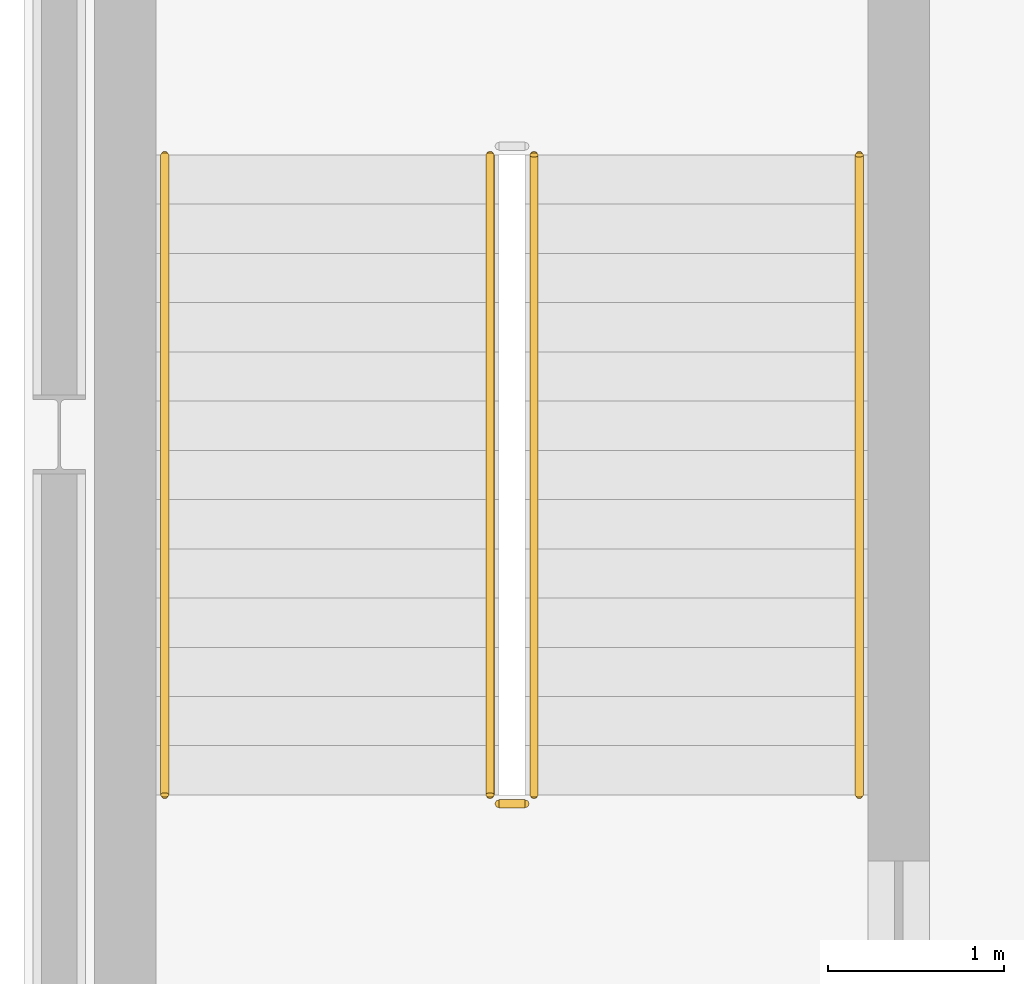
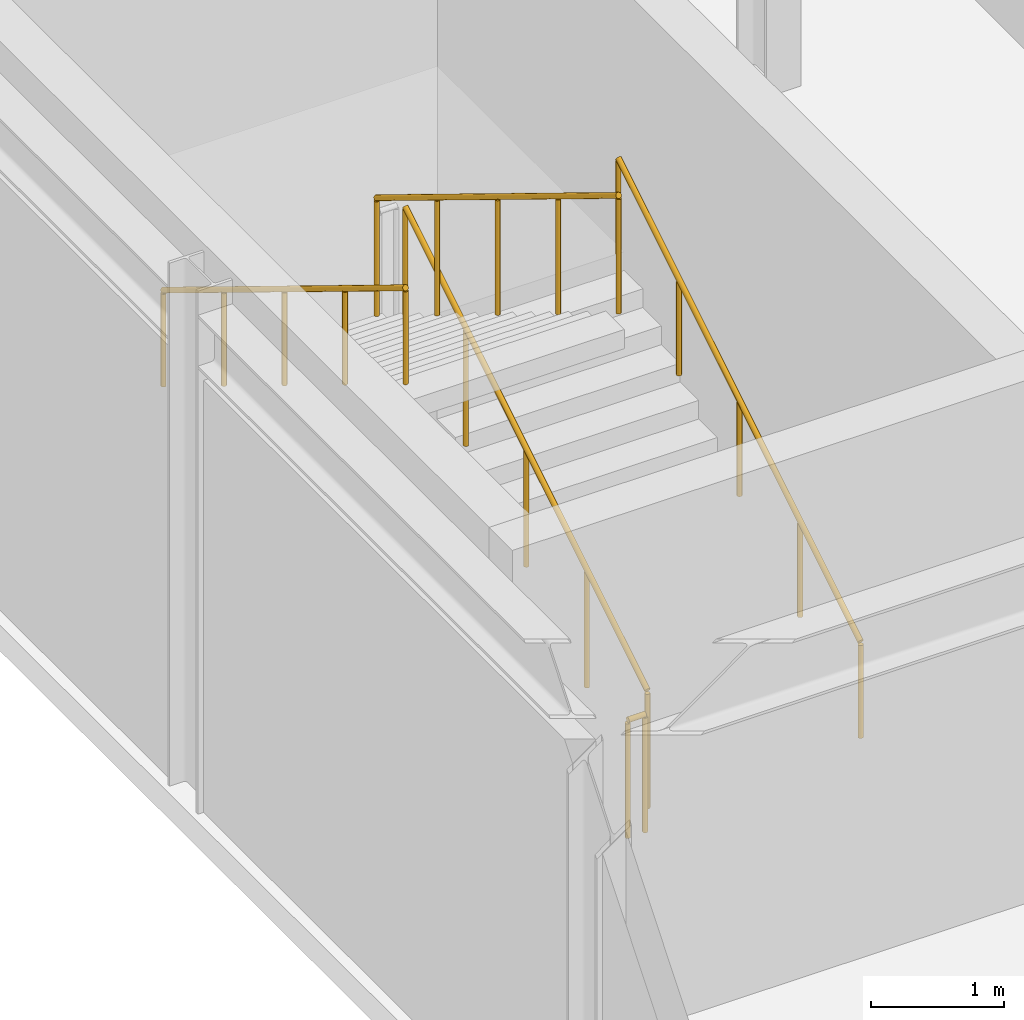
# One storey, part 109 of 112: 5 railings.
"""IFC4 building model written with IfcOpenShell, lengths in metres."""

from ifc_helpers import new_model, si_unit, direction, frame, origin, origin_2d, place, context, subcontext, project, spatial, circle, extrude, material, type_object, element, save


model = new_model("IFC4")

# Units and contexts
model_context = context("Model", 3, precision=1e-05, world=origin(), true_north=direction((0.0, 1.0)))
body_context = subcontext(model_context, "Body", "Model", "MODEL_VIEW")
ifc_project = project(units=[si_unit("LENGTHUNIT", "METRE"), si_unit("AREAUNIT", "SQUARE_METRE"), si_unit("VOLUMEUNIT", "CUBIC_METRE"), si_unit("PLANEANGLEUNIT", "RADIAN"), si_unit("MASSUNIT", "GRAM", prefix="KILO")], contexts=[model_context])

# Site, building, storey
site_placement = place(None, origin())
site = spatial("IfcSite", under=ifc_project, at=site_placement, CompositionType="ELEMENT")
building_placement = place(site_placement, origin())
building = spatial("IfcBuilding", under=site, at=building_placement, Name="Kaldris Quays Convention Centre", CompositionType="ELEMENT")
storey_placement = place(building_placement, frame((0.0, 0.0, 16.800048828125)))
storey = spatial("IfcBuildingStorey", under=building, at=storey_placement, Name="L03", CompositionType="ELEMENT", Elevation=16.800048828125)

# Railings
ifc_material_1 = material(Name="Steel S355J2", Category="steel")
railing_type_1 = type_object("IfcRailingType", Name="INTERIOR GUARDRAIL GR01", PredefinedType="GUARDRAIL", material=ifc_material_1)
railing_1_placement = place(storey_placement, frame((149.300048828125, 77.949951171875, 0.17138671875)))
element("IfcRailing", 1, at=railing_1_placement, inside=storey, type_object=railing_type_1, Name="L03 ST14 Stair Guardrail 1", PredefinedType="GUARDRAIL", context=body_context, shape_type="SweptSolid", body=[
    extrude(circle(Radius=0.02392578125, at=origin_2d()), frame((0.0, 0.0, 1.076171875), z_axis=(0.0, 0.852865859571, 0.52213008492), x_axis=(-1.0, 0.0, 0.0)), (0.0, 0.0, 1.0), 4.26806640625),
    extrude(circle(Radius=0.02099609375, at=origin_2d()), origin(), (0.0, 0.0, 1.0), 1.052001953125),
    extrude(circle(Radius=0.02099609375, at=origin_2d()), frame((0.0, 0.91015625, 0.55712890625)), (0.0, 0.0, 1.0), 1.052001953125),
    extrude(circle(Radius=0.02099609375, at=origin_2d()), frame((0.0, 1.820068359375, 1.1142578125)), (0.0, 0.0, 1.0), 1.052001953125),
    extrude(circle(Radius=0.02099609375, at=origin_2d()), frame((0.0, 2.72998046875, 1.67138671875)), (0.0, 0.0, 1.0), 1.052001953125),
    extrude(circle(Radius=0.02099609375, at=origin_2d()), frame((0.0, 3.64013671875, 2.228515625)), (0.0, 0.0, 1.0), 1.052001953125),
])
railing_2_placement = place(storey_placement, frame((149.050048828125, 81.590087890625, 2.5712890625)))
element("IfcRailing", 2, at=railing_2_placement, inside=storey, type_object=railing_type_1, Name="L03 ST14 Stair Guardrail 3", PredefinedType="GUARDRAIL", context=body_context, shape_type="SweptSolid", body=[
    extrude(circle(Radius=0.02392578125, at=origin_2d()), frame((0.0, 0.0, 1.076171875), z_axis=(0.0, -0.852840387347, 0.522171689878), x_axis=(1.0, 0.0, 0.0)), (0.0, 0.0, 1.0), 4.268310546875),
    extrude(circle(Radius=0.02099609375, at=origin_2d()), origin(), (0.0, 0.0, 1.0), 1.052001953125),
    extrude(circle(Radius=0.02099609375, at=origin_2d()), frame((0.0, -0.91015625, 0.55712890625)), (0.0, 0.0, 1.0), 1.052001953125),
    extrude(circle(Radius=0.02099609375, at=origin_2d()), frame((0.0, -1.820068359375, 1.1142578125)), (0.0, 0.0, 1.0), 1.052001953125),
    extrude(circle(Radius=0.02099609375, at=origin_2d()), frame((0.0, -2.72998046875, 1.671630859375)), (0.0, 0.0, 1.0), 1.052001953125),
    extrude(circle(Radius=0.02099609375, at=origin_2d()), frame((0.0, -3.64013671875, 2.228759765625)), (0.0, 0.0, 1.0), 1.052001953125),
])
railing_3_placement = place(storey_placement, frame((149.25, 77.89990234375, 0.0)))
element("IfcRailing", 3, at=railing_3_placement, inside=storey, type_object=railing_type_1, Name="L03 ST14 Stair Guardrail 4", PredefinedType="GUARDRAIL", context=body_context, shape_type="SweptSolid", body=[
    extrude(circle(Radius=0.02392578125, at=origin_2d()), frame((0.0, 0.0, 1.076171875), z_axis=(-1.0, 0.0, 0.0), x_axis=(0.0, -1.0, 0.0)), (0.0, 0.0, 1.0), 0.14990234375),
    extrude(circle(Radius=0.02099609375, at=origin_2d()), origin(), (0.0, 0.0, 1.0), 1.052001953125),
    extrude(circle(Radius=0.02099609375, at=origin_2d()), frame((-0.14990234375, 0.0, 0.0)), (0.0, 0.0, 1.0), 1.052001953125),
])
ifc_material_2 = material(Name="Stainless steel 1.4301", Category="steel")
railing_type_2 = type_object("IfcRailingType", Name="STAIR HANDRAIL HR01", PredefinedType="HANDRAIL", material=ifc_material_2)
railing_4_placement = place(storey_placement, frame((151.14990234375, 77.949951171875, 0.17138671875)))
element("IfcRailing", 4, at=railing_4_placement, inside=storey, type_object=railing_type_2, Name="L03 ST14 Flight Handrail 1", PredefinedType="HANDRAIL", context=body_context, shape_type="SweptSolid", body=[
    extrude(circle(Radius=0.02392578125, at=origin_2d()), frame((0.0, 0.0, 0.8759765625), z_axis=(0.0, 0.852865859571, 0.52213008492), x_axis=(-1.0, 0.0, 0.0)), (0.0, 0.0, 1.0), 4.26806640625),
    extrude(circle(Radius=0.02099609375, at=origin_2d()), origin(), (0.0, 0.0, 1.0), 0.851806640625),
    extrude(circle(Radius=0.02099609375, at=origin_2d()), frame((0.0, 0.91015625, 0.55712890625)), (0.0, 0.0, 1.0), 0.851806640625),
    extrude(circle(Radius=0.02099609375, at=origin_2d()), frame((0.0, 1.820068359375, 1.1142578125)), (0.0, 0.0, 1.0), 0.851806640625),
    extrude(circle(Radius=0.02099609375, at=origin_2d()), frame((0.0, 2.72998046875, 1.67138671875)), (0.0, 0.0, 1.0), 0.851806640625),
    extrude(circle(Radius=0.02099609375, at=origin_2d()), frame((0.0, 3.64013671875, 2.228515625)), (0.0, 0.0, 1.0), 0.851806640625),
])
railing_5_placement = place(storey_placement, frame((147.199951171875, 81.590087890625, 2.5712890625)))
element("IfcRailing", 5, at=railing_5_placement, inside=storey, type_object=railing_type_2, Name="L03 ST14 Flight Handrail 2", PredefinedType="HANDRAIL", context=body_context, shape_type="SweptSolid", body=[
    extrude(circle(Radius=0.02392578125, at=origin_2d()), frame((0.0, 0.0, 0.8759765625), z_axis=(0.0, -0.852840387347, 0.522171689878), x_axis=(1.0, 0.0, 0.0)), (0.0, 0.0, 1.0), 4.268310546875),
    extrude(circle(Radius=0.02099609375, at=origin_2d()), origin(), (0.0, 0.0, 1.0), 0.851806640625),
    extrude(circle(Radius=0.02099609375, at=origin_2d()), frame((0.0, -0.91015625, 0.55712890625)), (0.0, 0.0, 1.0), 0.851806640625),
    extrude(circle(Radius=0.02099609375, at=origin_2d()), frame((0.0, -1.820068359375, 1.1142578125)), (0.0, 0.0, 1.0), 0.851806640625),
    extrude(circle(Radius=0.02099609375, at=origin_2d()), frame((0.0, -2.72998046875, 1.671630859375)), (0.0, 0.0, 1.0), 0.851806640625),
    extrude(circle(Radius=0.02099609375, at=origin_2d()), frame((0.0, -3.64013671875, 2.228759765625)), (0.0, 0.0, 1.0), 0.851806640625),
])

save(model, "model.ifc")
